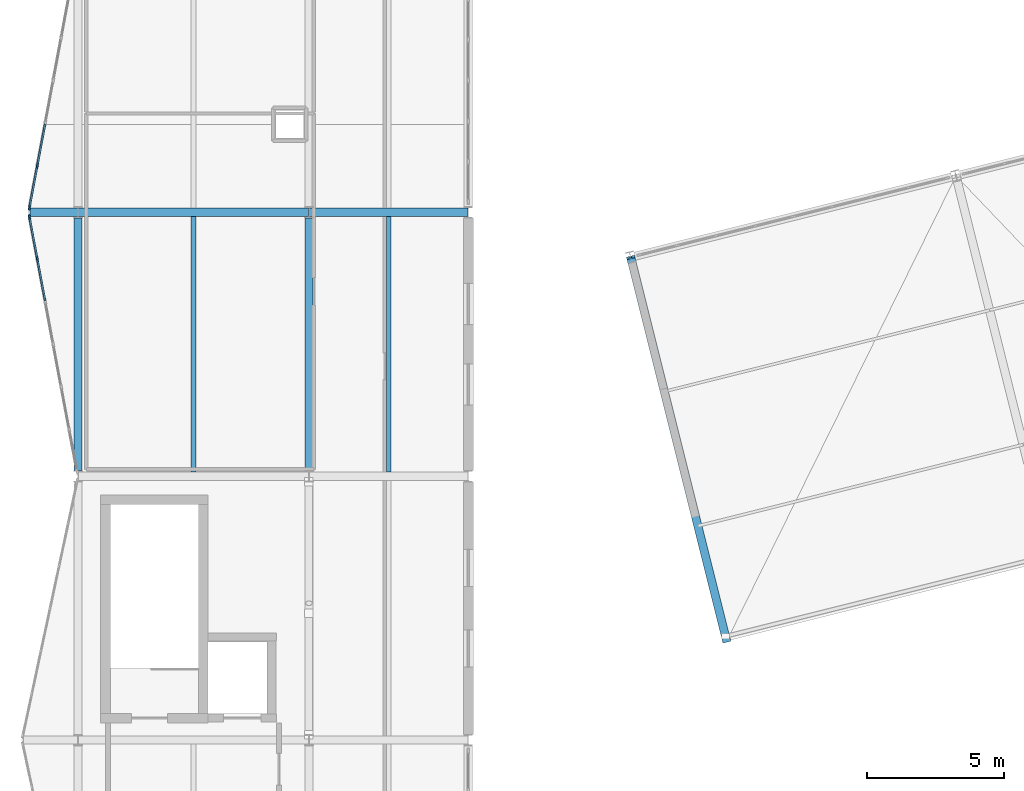
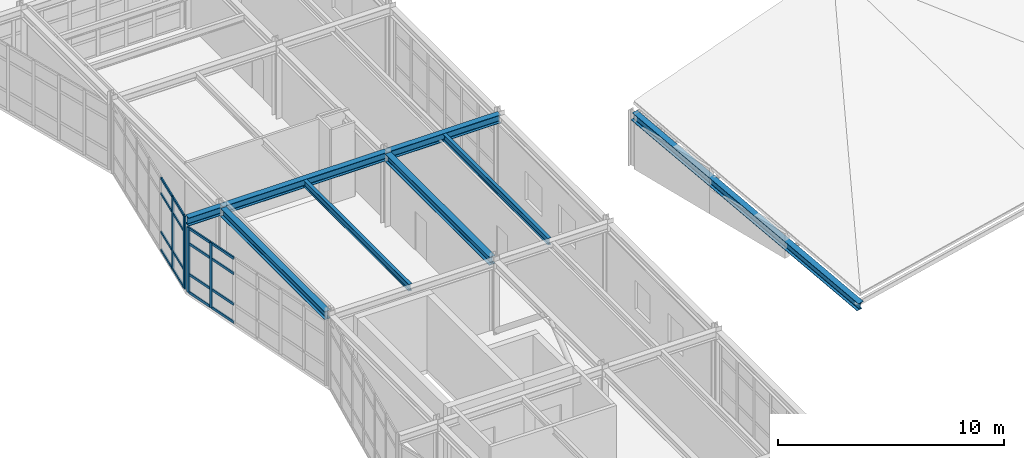
# One storey, part 9 of 47: 21 members, 7 beams, 2 elements without a shape of their own.
"""IFC4 building model written with IfcOpenShell, lengths in metres."""

from ifc_helpers import new_model, si_unit, direction, frame, origin, origin_2d, place, context, subcontext, project, spatial, rectangle, i_section, extrude, material, layer, layer_set, material_profile, profile_set, type_object, element, aggregate, save


model = new_model("IFC4")

# Units and contexts
model_context = context("Model", 3, precision=1e-05, world=origin(), true_north=direction((0.0, 1.0)))
body_context = subcontext(model_context, "Body", "Model", "MODEL_VIEW")
ifc_project = project(units=[si_unit("LENGTHUNIT", "METRE"), si_unit("AREAUNIT", "SQUARE_METRE"), si_unit("VOLUMEUNIT", "CUBIC_METRE"), si_unit("PLANEANGLEUNIT", "RADIAN"), si_unit("MASSUNIT", "GRAM", prefix="KILO")], contexts=[model_context])

# Site, building, storey
site_placement = place(None, origin())
site = spatial("IfcSite", under=ifc_project, at=site_placement, CompositionType="ELEMENT")
building_placement = place(site_placement, origin())
building = spatial("IfcBuilding", under=site, at=building_placement, Name="Nordkorset Police Headquarters", CompositionType="ELEMENT")
storey_placement = place(building_placement, frame((0.0, 0.0, 22.050048828125)))
storey = spatial("IfcBuildingStorey", under=building, at=storey_placement, Name="L05", CompositionType="ELEMENT", Elevation=22.050048828125)

# Beams
ifc_material_1 = material(Name="Steel S355J2", Category="steel")
ifc_material_profile_1 = material_profile(ifc_material_1, i_section(OverallWidth=0.169921875, OverallDepth=0.360107421875, WebThickness=0.008056640625, FlangeThickness=0.0126953125, FilletRadius=0.01806640625, at=origin_2d()), Name="IPE 360")
ifc_profile_set_1 = profile_set([ifc_material_profile_1], Name="Steel S355J2")
beam_type_1 = type_object("IfcBeamType", Name="Beam_IPE_360", PredefinedType="BEAM", material=ifc_profile_set_1)
for number, where, z_axis, x_axis, name in (
    (1, (4.199951171875, 48.14990234375, 3.784912109375), (0.0, 1.0, 0.0), (-1.0, 0.0, 0.0), "Composite Floor Beam V3 L05 0-2-1"),
    (2, (11.300048828125, 48.14990234375, 3.784912109375), (0.0, 1.0, 0.0), (-1.0, 0.0, 0.0), "Composite Floor Beam V3 L05 1-2-1"),
):
    element("IfcBeam", number, at=place(storey_placement, frame(where, z_axis=z_axis, x_axis=x_axis)), inside=storey, type_object=beam_type_1, Name=name, PredefinedType="BEAM", context=body_context, shape_type="SweptSolid", body=[
        extrude(i_section(OverallWidth=0.169921875, OverallDepth=0.360107421875, WebThickness=0.008056640625, FlangeThickness=0.0126953125, FilletRadius=0.01806640625, at=origin_2d()), origin(), (0.0, 0.0, 1.0), 9.300048828125),
    ])

# Curtain wall, members
ifc_material_2 = material(Name="Aluminium alloy AW-6060", Category="aluminium")
ifc_layer_1 = layer(ifc_material_2, 0.179931640625, Name="Aluminium alloy AW-6060")
ifc_layer_set_1 = layer_set([ifc_layer_1], Name="Aluminium alloy AW-6060")
curtain_wall_type_1 = type_object("IfcCurtainWallType", Name="CW_Unit_949x350", PredefinedType="USERDEFINED", material=ifc_layer_set_1)
curtain_wall_1_placement = place(storey_placement, origin())
curtain_wall_1 = element("IfcCurtainWall", 3, at=curtain_wall_1_placement, inside=storey, type_object=curtain_wall_type_1, Name="Unitised Curtain Wall L05 V3W-2", ObjectType="UNITISED CURTAIN WALL", PredefinedType="USERDEFINED")
ifc_material_3 = material(Name="Aluminium alloy AW-6060", Category="aluminium")
ifc_material_profile_2 = material_profile(ifc_material_3, rectangle(XDim=0.06494140625, YDim=0.179931640625, at=origin_2d()), Name="ALU MULL 65x180")
ifc_profile_set_2 = profile_set([ifc_material_profile_2], Name="Aluminium alloy AW-6060")
member_type_1 = type_object("IfcMemberType", Name="CW_Mullion_65x180", PredefinedType="MULLION", material=ifc_profile_set_2)
member_1_placement = place(storey_placement, frame((-1.48291015625, 55.908203125, 0.0), z_axis=(0.0, 0.0, 1.0), x_axis=(-0.982872186935, -0.184288535048, 0.0)))
member_1 = element("IfcMember", 4, at=member_1_placement, type_object=member_type_1, Name="CW-78 mullion 6", PredefinedType="MULLION", context=body_context, shape_type="SweptSolid", body=[
    extrude(rectangle(XDim=0.06494140625, YDim=0.179931640625, at=origin_2d()), origin(), (0.0, 0.0, 1.0), 3.5048828125),
])
member_2_placement = place(storey_placement, frame((-1.768310546875, 57.430419921875, 0.0), z_axis=(0.0, 0.0, 1.0), x_axis=(-0.982872186935, -0.184288535048, 0.0)))
member_2 = element("IfcMember", 5, at=member_2_placement, type_object=member_type_1, Name="CW-78 mullion 7", PredefinedType="MULLION", context=body_context, shape_type="SweptSolid", body=[
    extrude(rectangle(XDim=0.06494140625, YDim=0.179931640625, at=origin_2d()), origin(), (0.0, 0.0, 1.0), 3.5048828125),
])

ifc_material_4 = material(Name="Aluminium alloy AW-6060", Category="aluminium")
ifc_layer_2 = layer(ifc_material_4, 0.179931640625, Name="Aluminium alloy AW-6060")
ifc_layer_set_2 = layer_set([ifc_layer_2], Name="Aluminium alloy AW-6060")
curtain_wall_type_2 = type_object("IfcCurtainWallType", Name="CW_Unit_949x392", PredefinedType="USERDEFINED", material=ifc_layer_set_2)
curtain_wall_2_placement = place(storey_placement, origin())
curtain_wall_2 = element("IfcCurtainWall", 6, at=curtain_wall_2_placement, inside=storey, type_object=curtain_wall_type_2, Name="Unitised Curtain Wall L05 V3W-3", ObjectType="UNITISED CURTAIN WALL", PredefinedType="USERDEFINED")
member_3_placement = place(storey_placement, frame((-1.768310546875, 57.76953125, 0.0), z_axis=(0.0, 0.0, 1.0), x_axis=(-0.982872186935, 0.184288535048, 0.0)))
member_3 = element("IfcMember", 7, at=member_3_placement, type_object=member_type_1, Name="CW-49 mullion 1", PredefinedType="MULLION", context=body_context, shape_type="SweptSolid", body=[
    extrude(rectangle(XDim=0.06494140625, YDim=0.179931640625, at=origin_2d()), origin(), (0.0, 0.0, 1.0), 3.919921875),
])
member_4_placement = place(storey_placement, frame((-1.48291015625, 59.291748046875, 0.0), z_axis=(0.0, 0.0, 1.0), x_axis=(-0.982872186935, 0.184288535048, 0.0)))
member_4 = element("IfcMember", 8, at=member_4_placement, type_object=member_type_1, Name="CW-49 mullion 2", PredefinedType="MULLION", context=body_context, shape_type="SweptSolid", body=[
    extrude(rectangle(XDim=0.06494140625, YDim=0.179931640625, at=origin_2d()), origin(), (0.0, 0.0, 1.0), 3.919921875),
])

# Member
ifc_material_5 = material(Name="Aluminium alloy AW-6060", Category="aluminium")
ifc_material_profile_3 = material_profile(ifc_material_5, rectangle(XDim=0.06494140625, YDim=0.139892578125, at=origin_2d()), Name="ALU TRAN 65x140")
ifc_profile_set_3 = profile_set([ifc_material_profile_3], Name="Aluminium alloy AW-6060")
member_type_2 = type_object("IfcMemberType", Name="CW_Transom_65x140", PredefinedType="USERDEFINED", material=ifc_profile_set_3)
member_5_placement = place(storey_placement, frame((-1.197509765625, 54.385986328125, 0.032470703125), z_axis=(-0.184210757138, 0.982886767107, 0.0), x_axis=(-0.982886767107, -0.184210757138, 0.0)))
member_5 = element("IfcMember", 9, at=member_5_placement, type_object=member_type_2, Name="CW-78 transom 5.1", ObjectType="TRANSOM", PredefinedType="USERDEFINED", context=body_context, shape_type="SweptSolid", body=[
    extrude(rectangle(XDim=0.06494140625, YDim=0.139892578125, at=origin_2d()), origin(), (0.0, 0.0, 1.0), 1.51611328125),
])

member_6_placement = place(storey_placement, frame((-1.197509765625, 54.385986328125, 1.0), z_axis=(-0.184210757138, 0.982886767107, 0.0), x_axis=(-0.982886767107, -0.184210757138, 0.0)))
member_6 = element("IfcMember", 10, at=member_6_placement, type_object=member_type_2, Name="CW-78 transom 5.2", ObjectType="TRANSOM", PredefinedType="USERDEFINED", context=body_context, shape_type="SweptSolid", body=[
    extrude(rectangle(XDim=0.06494140625, YDim=0.139892578125, at=origin_2d()), origin(), (0.0, 0.0, 1.0), 1.51611328125),
])

member_7_placement = place(storey_placement, frame((-1.197509765625, 54.385986328125, 2.655029296875), z_axis=(-0.184210757138, 0.982886767107, 0.0), x_axis=(-0.982886767107, -0.184210757138, 0.0)))
member_7 = element("IfcMember", 11, at=member_7_placement, type_object=member_type_2, Name="CW-78 transom 5.3", ObjectType="TRANSOM", PredefinedType="USERDEFINED", context=body_context, shape_type="SweptSolid", body=[
    extrude(rectangle(XDim=0.06494140625, YDim=0.139892578125, at=origin_2d()), origin(), (0.0, 0.0, 1.0), 1.51611328125),
])

member_8_placement = place(storey_placement, frame((-1.197509765625, 54.385986328125, 3.472412109375), z_axis=(-0.184210757138, 0.982886767107, 0.0), x_axis=(-0.982886767107, -0.184210757138, 0.0)))
member_8 = element("IfcMember", 12, at=member_8_placement, type_object=member_type_2, Name="CW-78 transom 5.4", ObjectType="TRANSOM", PredefinedType="USERDEFINED", context=body_context, shape_type="SweptSolid", body=[
    extrude(rectangle(XDim=0.06494140625, YDim=0.139892578125, at=origin_2d()), origin(), (0.0, 0.0, 1.0), 1.51611328125),
])

member_9_placement = place(storey_placement, frame((-1.48876953125, 55.940185546875, 0.032470703125), z_axis=(-0.184298470268, 0.982870324029, 0.0), x_axis=(-0.982870324029, -0.184298470268, 0.0)))
member_9 = element("IfcMember", 13, at=member_9_placement, type_object=member_type_2, Name="CW-78 transom 6.1", ObjectType="TRANSOM", PredefinedType="USERDEFINED", context=body_context, shape_type="SweptSolid", body=[
    extrude(rectangle(XDim=0.06494140625, YDim=0.139892578125, at=origin_2d()), origin(), (0.0, 0.0, 1.0), 1.483642578125),
])

member_10_placement = place(storey_placement, frame((-1.48876953125, 55.940185546875, 1.0), z_axis=(-0.184298470268, 0.982870324029, 0.0), x_axis=(-0.982870324029, -0.184298470268, 0.0)))
member_10 = element("IfcMember", 14, at=member_10_placement, type_object=member_type_2, Name="CW-78 transom 6.2", ObjectType="TRANSOM", PredefinedType="USERDEFINED", context=body_context, shape_type="SweptSolid", body=[
    extrude(rectangle(XDim=0.06494140625, YDim=0.139892578125, at=origin_2d()), origin(), (0.0, 0.0, 1.0), 1.483642578125),
])

member_11_placement = place(storey_placement, frame((-1.48876953125, 55.940185546875, 2.655029296875), z_axis=(-0.184298470268, 0.982870324029, 0.0), x_axis=(-0.982870324029, -0.184298470268, 0.0)))
member_11 = element("IfcMember", 15, at=member_11_placement, type_object=member_type_2, Name="CW-78 transom 6.3", ObjectType="TRANSOM", PredefinedType="USERDEFINED", context=body_context, shape_type="SweptSolid", body=[
    extrude(rectangle(XDim=0.06494140625, YDim=0.139892578125, at=origin_2d()), origin(), (0.0, 0.0, 1.0), 1.483642578125),
])

member_12_placement = place(storey_placement, frame((-1.48876953125, 55.940185546875, 3.472412109375), z_axis=(-0.184298470268, 0.982870324029, 0.0), x_axis=(-0.982870324029, -0.184298470268, 0.0)))
member_12 = element("IfcMember", 16, at=member_12_placement, type_object=member_type_2, Name="CW-78 transom 6.4", ObjectType="TRANSOM", PredefinedType="USERDEFINED", context=body_context, shape_type="SweptSolid", body=[
    extrude(rectangle(XDim=0.06494140625, YDim=0.139892578125, at=origin_2d()), origin(), (0.0, 0.0, 1.0), 1.483642578125),
])

aggregate(curtain_wall_1, [member_1, member_2, member_5, member_6, member_7, member_8, member_9, member_10, member_11, member_12])

member_13_placement = place(storey_placement, frame((-1.76220703125, 57.801513671875, 0.032470703125), z_axis=(0.184298470268, 0.982870324029, 0.0), x_axis=(-0.982870324029, 0.184298470268, 0.0)))
member_13 = element("IfcMember", 17, at=member_13_placement, type_object=member_type_2, Name="CW-49 transom 1.1", ObjectType="TRANSOM", PredefinedType="USERDEFINED", context=body_context, shape_type="SweptSolid", body=[
    extrude(rectangle(XDim=0.06494140625, YDim=0.139892578125, at=origin_2d()), origin(), (0.0, 0.0, 1.0), 1.483642578125),
])

member_14_placement = place(storey_placement, frame((-1.76220703125, 57.801513671875, 1.0), z_axis=(0.184298470268, 0.982870324029, 0.0), x_axis=(-0.982870324029, 0.184298470268, 0.0)))
member_14 = element("IfcMember", 18, at=member_14_placement, type_object=member_type_2, Name="CW-49 transom 1.2", ObjectType="TRANSOM", PredefinedType="USERDEFINED", context=body_context, shape_type="SweptSolid", body=[
    extrude(rectangle(XDim=0.06494140625, YDim=0.139892578125, at=origin_2d()), origin(), (0.0, 0.0, 1.0), 1.483642578125),
])

member_15_placement = place(storey_placement, frame((-1.76220703125, 57.801513671875, 3.070068359375), z_axis=(0.184298470268, 0.982870324029, 0.0), x_axis=(-0.982870324029, 0.184298470268, 0.0)))
member_15 = element("IfcMember", 19, at=member_15_placement, type_object=member_type_2, Name="CW-49 transom 1.3", ObjectType="TRANSOM", PredefinedType="USERDEFINED", context=body_context, shape_type="SweptSolid", body=[
    extrude(rectangle(XDim=0.06494140625, YDim=0.139892578125, at=origin_2d()), origin(), (0.0, 0.0, 1.0), 1.483642578125),
])

member_16_placement = place(storey_placement, frame((-1.76220703125, 57.801513671875, 3.887451171875), z_axis=(0.184298470268, 0.982870324029, 0.0), x_axis=(-0.982870324029, 0.184298470268, 0.0)))
member_16 = element("IfcMember", 20, at=member_16_placement, type_object=member_type_2, Name="CW-49 transom 1.4", ObjectType="TRANSOM", PredefinedType="USERDEFINED", context=body_context, shape_type="SweptSolid", body=[
    extrude(rectangle(XDim=0.06494140625, YDim=0.139892578125, at=origin_2d()), origin(), (0.0, 0.0, 1.0), 1.483642578125),
])

member_17_placement = place(storey_placement, frame((-1.476806640625, 59.32373046875, 0.032470703125), z_axis=(0.184210757138, 0.982886767107, 0.0), x_axis=(-0.982886767107, 0.184210757138, 0.0)))
member_17 = element("IfcMember", 21, at=member_17_placement, type_object=member_type_2, Name="CW-49 transom 2.1", ObjectType="TRANSOM", PredefinedType="USERDEFINED", context=body_context, shape_type="SweptSolid", body=[
    extrude(rectangle(XDim=0.06494140625, YDim=0.139892578125, at=origin_2d()), origin(), (0.0, 0.0, 1.0), 1.51611328125),
])

member_18_placement = place(storey_placement, frame((-1.476806640625, 59.32373046875, 1.0), z_axis=(0.184210757138, 0.982886767107, 0.0), x_axis=(-0.982886767107, 0.184210757138, 0.0)))
member_18 = element("IfcMember", 22, at=member_18_placement, type_object=member_type_2, Name="CW-49 transom 2.2", ObjectType="TRANSOM", PredefinedType="USERDEFINED", context=body_context, shape_type="SweptSolid", body=[
    extrude(rectangle(XDim=0.06494140625, YDim=0.139892578125, at=origin_2d()), origin(), (0.0, 0.0, 1.0), 1.51611328125),
])

member_19_placement = place(storey_placement, frame((-1.476806640625, 59.32373046875, 3.070068359375), z_axis=(0.184210757138, 0.982886767107, 0.0), x_axis=(-0.982886767107, 0.184210757138, 0.0)))
member_19 = element("IfcMember", 23, at=member_19_placement, type_object=member_type_2, Name="CW-49 transom 2.3", ObjectType="TRANSOM", PredefinedType="USERDEFINED", context=body_context, shape_type="SweptSolid", body=[
    extrude(rectangle(XDim=0.06494140625, YDim=0.139892578125, at=origin_2d()), origin(), (0.0, 0.0, 1.0), 1.51611328125),
])

member_20_placement = place(storey_placement, frame((-1.476806640625, 59.32373046875, 3.887451171875), z_axis=(0.184210757138, 0.982886767107, 0.0), x_axis=(-0.982886767107, 0.184210757138, 0.0)))
member_20 = element("IfcMember", 24, at=member_20_placement, type_object=member_type_2, Name="CW-49 transom 2.4", ObjectType="TRANSOM", PredefinedType="USERDEFINED", context=body_context, shape_type="SweptSolid", body=[
    extrude(rectangle(XDim=0.06494140625, YDim=0.139892578125, at=origin_2d()), origin(), (0.0, 0.0, 1.0), 1.51611328125),
])

aggregate(curtain_wall_2, [member_3, member_4, member_13, member_14, member_15, member_16, member_17, member_18, member_19, member_20])

# Beams
ifc_material_6 = material(Name="Steel S355J2", Category="steel")
ifc_material_profile_4 = material_profile(ifc_material_6, i_section(OverallWidth=0.300048828125, OverallDepth=0.43994140625, WebThickness=0.011474609375, FlangeThickness=0.02099609375, FilletRadius=0.027099609375, at=origin_2d()), Name="HEA 450")
ifc_profile_set_4 = profile_set([ifc_material_profile_4], Name="Steel S355J2")
beam_type_2 = type_object("IfcBeamType", Name="Girder_HEA_450", PredefinedType="USERDEFINED", material=ifc_profile_set_4)
beam_1_placement = place(storey_placement, frame((0.006591796875, 57.60009765625, 3.744873046875), z_axis=(1.0, 0.0, 0.0), x_axis=(0.0, 1.0, 0.0)))
element("IfcBeam", 25, at=beam_1_placement, inside=storey, type_object=beam_type_2, Name="Girder V3 L05 GX-3-0", ObjectType="GIRDER", PredefinedType="USERDEFINED", context=body_context, shape_type="SweptSolid", body=[
    extrude(i_section(OverallWidth=0.300048828125, OverallDepth=0.43994140625, WebThickness=0.011474609375, FlangeThickness=0.02099609375, FilletRadius=0.027099609375, at=origin_2d()), origin(), (0.0, 0.0, 1.0), 8.38671875),
])
beam_2_placement = place(storey_placement, frame((8.40673828125, 57.60009765625, 3.744873046875), z_axis=(1.0, 0.0, 0.0), x_axis=(0.0, 1.0, 0.0)))
element("IfcBeam", 26, at=beam_2_placement, inside=storey, type_object=beam_type_2, Name="Girder V3 L05 GX-3-1", ObjectType="GIRDER", PredefinedType="USERDEFINED", context=body_context, shape_type="SweptSolid", body=[
    extrude(i_section(OverallWidth=0.300048828125, OverallDepth=0.43994140625, WebThickness=0.011474609375, FlangeThickness=0.02099609375, FilletRadius=0.027099609375, at=origin_2d()), origin(), (0.0, 0.0, 1.0), 5.78662109375),
])
for number, where, z_axis, x_axis, name in (
    (27, (0.0, 48.199951171875, 3.744873046875), (0.0, 1.0, 0.0), (-1.0, 0.0, 0.0), "Girder V3 L05 GY-0-2"),
    (28, (8.39990234375, 48.199951171875, 3.744873046875), (0.0, 1.0, 0.0), (-1.0, 0.0, 0.0), "Girder V3 L05 GY-1-2"),
):
    element("IfcBeam", number, at=place(storey_placement, frame(where, z_axis=z_axis, x_axis=x_axis)), inside=storey, type_object=beam_type_2, Name=name, ObjectType="GIRDER", PredefinedType="USERDEFINED", context=body_context, shape_type="SweptSolid", body=[
        extrude(i_section(OverallWidth=0.300048828125, OverallDepth=0.43994140625, WebThickness=0.011474609375, FlangeThickness=0.02099609375, FilletRadius=0.027099609375, at=origin_2d()), origin(), (0.0, 0.0, 1.0), 9.199951171875),
    ])
beam_3_placement = place(storey_placement, frame((-0.006591796875, 57.60009765625, 3.744873046875), z_axis=(-1.0, 0.0, 0.0), x_axis=(0.0, -1.0, 0.0)))
element("IfcBeam", 29, at=beam_3_placement, inside=storey, type_object=beam_type_2, Name="Sawtooth Facade Outrigger V3 L05 57", ObjectType="GIRDER", PredefinedType="USERDEFINED", context=body_context, shape_type="SweptSolid", body=[
    extrude(i_section(OverallWidth=0.300048828125, OverallDepth=0.43994140625, WebThickness=0.011474609375, FlangeThickness=0.02099609375, FilletRadius=0.027099609375, at=origin_2d()), origin(), (0.0, 0.0, 1.0), 1.7333984375),
])

# Member
ifc_material_7 = material(Name="Steel S355J2", Category="steel")
ifc_material_profile_5 = material_profile(ifc_material_7, i_section(OverallWidth=0.300048828125, OverallDepth=0.43994140625, WebThickness=0.011474609375, FlangeThickness=0.02099609375, FilletRadius=0.027099609375, at=origin_2d()), Name="HEA 450")
ifc_profile_set_5 = profile_set([ifc_material_profile_5], Name="Steel S355J2")
member_type_3 = type_object("IfcMemberType", Name="Rafter_HEA_450", PredefinedType="RAFTER", material=ifc_profile_set_5)
member_21_placement = place(storey_placement, frame((20.10986328125, 55.96044921875, 2.780029296875), z_axis=(0.237198102376, -0.948759202432, -0.208789453827), x_axis=(0.970140502734, 0.24254361454, 0.0)))
element("IfcMember", 30, at=member_21_placement, inside=storey, type_object=member_type_3, Name="Splayed Wing Folded Roof Rafter 1", PredefinedType="RAFTER", context=body_context, shape_type="SweptSolid", body=[
    extrude(i_section(OverallWidth=0.300048828125, OverallDepth=0.43994140625, WebThickness=0.011474609375, FlangeThickness=0.02099609375, FilletRadius=0.027099609375, at=origin_2d()), origin(), (0.0, 0.0, 1.0), 14.7041015625),
])

save(model, "model.ifc")
